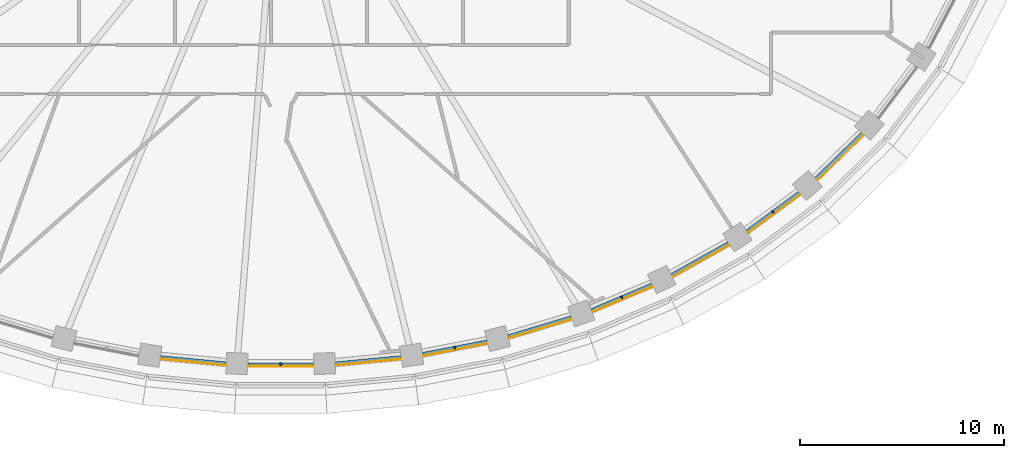
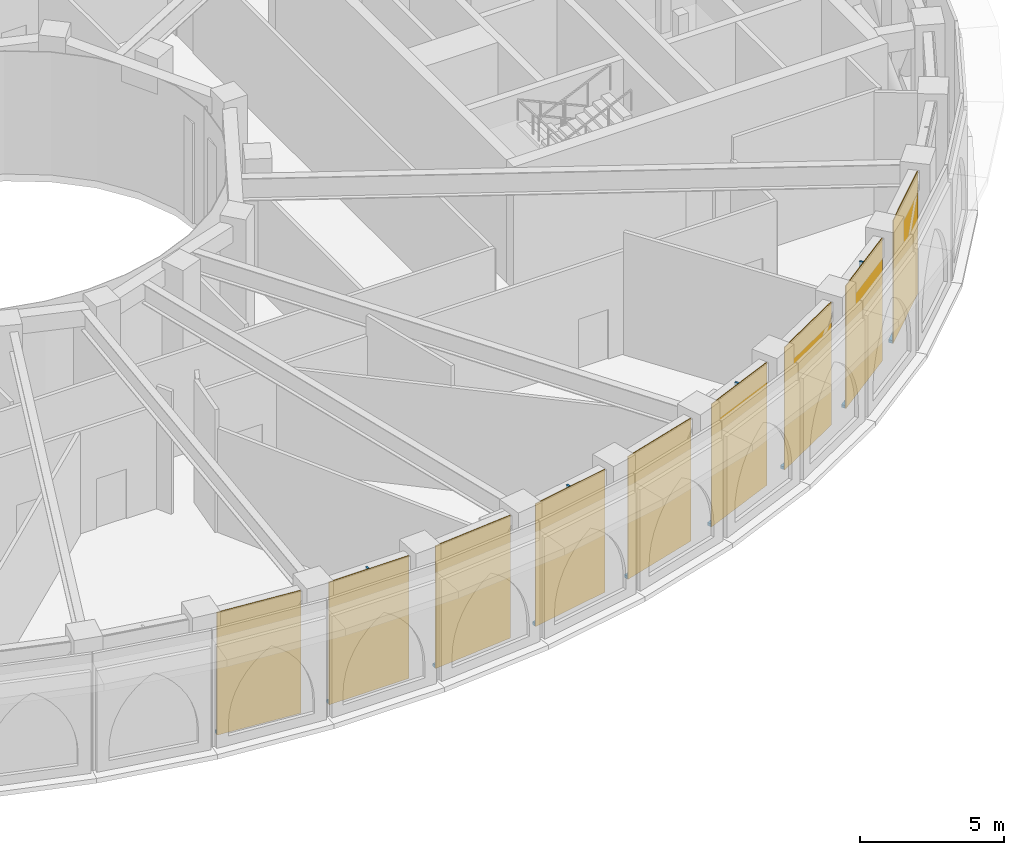
# One storey, part 12 of 23: 13 members, 9 curtain walls.
"""IFC4 building model written with IfcOpenShell, lengths in metres."""

from ifc_helpers import new_model, si_unit, direction, frame, origin, origin_2d, place, context, subcontext, project, spatial, polyline, rectangle, outline, extrude, material, layer, layer_set, material_profile, profile_set, type_object, element, aggregate, save


model = new_model("IFC4")

# Units and contexts
model_context = context("Model", 3, precision=1e-05, world=origin(), true_north=direction((0.0, 1.0)))
body_context = subcontext(model_context, "Body", "Model", "MODEL_VIEW")
ifc_project = project(units=[si_unit("LENGTHUNIT", "METRE"), si_unit("AREAUNIT", "SQUARE_METRE"), si_unit("VOLUMEUNIT", "CUBIC_METRE"), si_unit("PLANEANGLEUNIT", "RADIAN"), si_unit("MASSUNIT", "GRAM", prefix="KILO")], contexts=[model_context])

# Member
ifc_material_1 = material(Name="Aluminium 6063-T6 black anodised", Category="aluminium")
ifc_material_profile = material_profile(ifc_material_1, rectangle(XDim=0.14990234375, YDim=0.080078125, at=origin_2d()), Name="150x80")
ifc_profile_set = profile_set([ifc_material_profile], Name="Aluminium 6063-T6 black anodised")
member_type_1 = type_object("IfcMemberType", Name="ENV-MULLION-B-150", PredefinedType="MULLION", material=ifc_profile_set)
site_placement = place(None, origin())
building_placement = place(site_placement, origin())
storey_placement = place(building_placement, frame((0.0, 0.0, 285.5)))
member_1_placement = place(storey_placement, frame((0.0, -26.94091796875, 0.1201171875), z_axis=(0.0, 0.0, 1.0), x_axis=(0.0, 1.0, 0.0)))
member_1 = element("IfcMember", 1, at=member_1_placement, type_object=member_type_1, Name="Mullion B chord 35", PredefinedType="MULLION", context=body_context, shape_type="SweptSolid", body=[
    extrude(rectangle(XDim=0.14990234375, YDim=0.080078125, at=origin_2d()), origin(), (0.0, 0.0, 1.0), 5.079833984375),
])

member_2_placement = place(storey_placement, frame((8.51953125, -26.12451171875, 0.1201171875), z_axis=(0.0, 0.0, 1.0), x_axis=(-0.190820470077, 0.981624952922, 0.0)))
member_2 = element("IfcMember", 2, at=member_2_placement, type_object=member_type_1, Name="Mullion B chord 37", PredefinedType="MULLION", context=body_context, shape_type="SweptSolid", body=[
    extrude(rectangle(XDim=0.14990234375, YDim=0.080078125, at=origin_2d()), origin(), (0.0, 0.0, 1.0), 5.079833984375),
])

member_3_placement = place(storey_placement, frame((16.69482421875, -23.652587890625, 0.1201171875), z_axis=(0.0, 0.0, 1.0), x_axis=(-0.387638279686, 0.921811566494, 0.0)))
member_3 = element("IfcMember", 3, at=member_3_placement, type_object=member_type_1, Name="Mullion B chord 39", PredefinedType="MULLION", context=body_context, shape_type="SweptSolid", body=[
    extrude(rectangle(XDim=0.14990234375, YDim=0.080078125, at=origin_2d()), origin(), (0.0, 0.0, 1.0), 5.079833984375),
])

member_4_placement = place(storey_placement, frame((24.098388671875, -19.474365234375, 0.1201171875), z_axis=(0.0, 0.0, 1.0), x_axis=(-0.593067090304, 0.805153045326, 0.0)))
member_4 = element("IfcMember", 4, at=member_4_placement, type_object=member_type_1, Name="Mullion B chord 41", PredefinedType="MULLION", context=body_context, shape_type="SweptSolid", body=[
    extrude(rectangle(XDim=0.14990234375, YDim=0.080078125, at=origin_2d()), origin(), (0.0, 0.0, 1.0), 5.079833984375),
])

ifc_material_2 = material(Name="Aluminium 6063-T6 black anodised", Category="aluminium")
member_type_2 = type_object("IfcMemberType", Name="ENV-TRANSOM-B", PredefinedType="USERDEFINED", material=ifc_material_2)
member_5_placement = place(storey_placement, origin())
member_5 = element("IfcMember", 5, at=member_5_placement, type_object=member_type_2, Name="Transom B radial 34-35", ObjectType="TRANSOM", PredefinedType="USERDEFINED", context=body_context, shape_type="SweptSolid", body=[
    extrude(outline(polyline([(-5.87890625, -26.659912109375), (-2.69580078125, -26.9638671875), (-2.6884765625, -26.813720703125), (-5.857421875, -26.511474609375), (-5.87890625, -26.659912109375)])), origin(), (0.0, 0.0, 1.0), 0.1201171875),
])

member_6_placement = place(storey_placement, origin())
member_6 = element("IfcMember", 6, at=member_6_placement, type_object=member_type_2, Name="Transom B radial 35-36", ObjectType="TRANSOM", PredefinedType="USERDEFINED", context=body_context, shape_type="SweptSolid", body=[
    extrude(outline(polyline([(-1.599365234375, -27.01611328125), (1.599365234375, -27.01611328125), (1.59228515625, -26.865966796875), (-1.59228515625, -26.865966796875), (-1.599365234375, -27.01611328125)])), origin(), (0.0, 0.0, 1.0), 0.1201171875),
])

member_7_placement = place(storey_placement, origin())
member_7 = element("IfcMember", 7, at=member_7_placement, type_object=member_type_2, Name="Transom B radial 36-37", ObjectType="TRANSOM", PredefinedType="USERDEFINED", context=body_context, shape_type="SweptSolid", body=[
    extrude(outline(polyline([(2.69580078125, -26.9638671875), (5.87890625, -26.659912109375), (5.857421875, -26.511474609375), (2.688720703125, -26.813720703125), (2.69580078125, -26.9638671875)])), origin(), (0.0, 0.0, 1.0), 0.1201171875),
])

member_8_placement = place(storey_placement, origin())
member_8 = element("IfcMember", 8, at=member_8_placement, type_object=member_type_2, Name="Transom B radial 37-38", ObjectType="TRANSOM", PredefinedType="USERDEFINED", context=body_context, shape_type="SweptSolid", body=[
    extrude(outline(polyline([(6.9658203125, -26.502685546875), (10.10107421875, -25.893310546875), (10.06494140625, -25.74755859375), (6.9443359375, -26.354248046875), (6.9658203125, -26.502685546875)])), origin(), (0.0, 0.0, 1.0), 0.1201171875),
])

member_9_placement = place(storey_placement, origin())
member_9 = element("IfcMember", 9, at=member_9_placement, type_object=member_type_2, Name="Transom B radial 38-39", ObjectType="TRANSOM", PredefinedType="USERDEFINED", context=body_context, shape_type="SweptSolid", body=[
    extrude(outline(polyline([(11.168701171875, -25.629638671875), (14.220947265625, -24.711181640625), (14.170166015625, -24.56982421875), (11.1328125, -25.48388671875), (11.168701171875, -25.629638671875)])), origin(), (0.0, 0.0, 1.0), 0.1201171875),
])

member_10_placement = place(storey_placement, origin())
member_10 = element("IfcMember", 10, at=member_10_placement, type_object=member_type_2, Name="Transom B radial 39-40", ObjectType="TRANSOM", PredefinedType="USERDEFINED", context=body_context, shape_type="SweptSolid", body=[
    extrude(outline(polyline([(15.25830078125, -24.338134765625), (18.1875, -23.106201171875), (18.12158203125, -22.97119140625), (15.20751953125, -24.19677734375), (15.25830078125, -24.338134765625)])), origin(), (0.0, 0.0, 1.0), 0.1201171875),
])

member_11_placement = place(storey_placement, origin())
member_11 = element("IfcMember", 11, at=member_11_placement, type_object=member_type_2, Name="Transom B radial 40-41", ObjectType="TRANSOM", PredefinedType="USERDEFINED", context=body_context, shape_type="SweptSolid", body=[
    extrude(outline(polyline([(19.18115234375, -22.62060546875), (21.94091796875, -21.071533203125), (21.859375, -20.9453125), (19.115234375, -22.485595703125), (19.18115234375, -22.62060546875)])), origin(), (0.0, 0.0, 1.0), 0.1201171875),
])

member_12_placement = place(storey_placement, origin())
member_12 = element("IfcMember", 12, at=member_12_placement, type_object=member_type_2, Name="Transom B radial 41-42", ObjectType="TRANSOM", PredefinedType="USERDEFINED", context=body_context, shape_type="SweptSolid", body=[
    extrude(outline(polyline([(22.874267578125, -20.46923828125), (25.40869140625, -18.602294921875), (25.3115234375, -18.48779296875), (22.792724609375, -20.343017578125), (22.874267578125, -20.46923828125)])), origin(), (0.0, 0.0, 1.0), 0.1201171875),
])

member_13_placement = place(storey_placement, origin())
member_13 = element("IfcMember", 13, at=member_13_placement, type_object=member_type_2, Name="Transom B radial 42-43", ObjectType="TRANSOM", PredefinedType="USERDEFINED", context=body_context, shape_type="SweptSolid", body=[
    extrude(outline(polyline([(26.260498046875, -17.880615234375), (28.50341796875, -15.701416015625), (28.390869140625, -15.601806640625), (26.163330078125, -17.765869140625), (26.260498046875, -17.880615234375)])), origin(), (0.0, 0.0, 1.0), 0.1201171875),
])

# Site, building, storey
site = spatial("IfcSite", under=ifc_project, at=site_placement, CompositionType="ELEMENT")
building = spatial("IfcBuilding", under=site, at=building_placement, Name="Noorbagh Ring Tower", CompositionType="ELEMENT")
storey = spatial("IfcBuildingStorey", under=building, at=storey_placement, Name="L61", CompositionType="ELEMENT", Elevation=285.5)

# Curtain wall
ifc_material_3 = material(Name="Glass dark tinted laminated", Category="glass")
ifc_layer = layer(ifc_material_3, 0.031982421875)
ifc_layer_set = layer_set([ifc_layer], Name="Glass dark tinted laminated")
curtain_wall_type = type_object("IfcCurtainWallType", Name="ENV-CW-B", PredefinedType="NOTDEFINED", material=ifc_layer_set)
curtain_wall_1_placement = place(storey_placement, origin())
curtain_wall_1 = element("IfcCurtainWall", 14, at=curtain_wall_1_placement, inside=storey, type_object=curtain_wall_type, Name="Curtain wall B R34", PredefinedType="NOTDEFINED", context=body_context, shape_type="SweptSolid", body=[
    extrude(outline(polyline([(-5.88330078125, -26.691650390625), (-2.697265625, -26.995849609375), (-2.69580078125, -26.9638671875), (-5.87890625, -26.659912109375), (-5.88330078125, -26.691650390625)])), origin(), (0.0, 0.0, 1.0), 5.199951171875),
])

aggregate(curtain_wall_1, [member_5])

curtain_wall_2_placement = place(storey_placement, origin())
curtain_wall_2 = element("IfcCurtainWall", 15, at=curtain_wall_2_placement, inside=storey, type_object=curtain_wall_type, Name="Curtain wall B R35", PredefinedType="NOTDEFINED", context=body_context, shape_type="SweptSolid", body=[
    extrude(outline(polyline([(-1.60107421875, -27.048095703125), (1.60107421875, -27.048095703125), (1.599365234375, -27.01611328125), (-1.599365234375, -27.01611328125), (-1.60107421875, -27.048095703125)])), origin(), (0.0, 0.0, 1.0), 5.199951171875),
])

aggregate(curtain_wall_2, [member_1, member_6])

curtain_wall_3_placement = place(storey_placement, origin())
curtain_wall_3 = element("IfcCurtainWall", 16, at=curtain_wall_3_placement, inside=storey, type_object=curtain_wall_type, Name="Curtain wall B R36", PredefinedType="NOTDEFINED", context=body_context, shape_type="SweptSolid", body=[
    extrude(outline(polyline([(2.697265625, -26.995849609375), (5.88330078125, -26.691650390625), (5.87890625, -26.659912109375), (2.69580078125, -26.9638671875), (2.697265625, -26.995849609375)])), origin(), (0.0, 0.0, 1.0), 5.199951171875),
])

aggregate(curtain_wall_3, [member_7])

curtain_wall_4_placement = place(storey_placement, origin())
curtain_wall_4 = element("IfcCurtainWall", 17, at=curtain_wall_4_placement, inside=storey, type_object=curtain_wall_type, Name="Curtain wall B R37", PredefinedType="NOTDEFINED", context=body_context, shape_type="SweptSolid", body=[
    extrude(outline(polyline([(6.970458984375, -26.53466796875), (10.108642578125, -25.924560546875), (10.10107421875, -25.893310546875), (6.9658203125, -26.502685546875), (6.970458984375, -26.53466796875)])), origin(), (0.0, 0.0, 1.0), 5.199951171875),
])

aggregate(curtain_wall_4, [member_2, member_8])

curtain_wall_5_placement = place(storey_placement, origin())
curtain_wall_5 = element("IfcCurtainWall", 18, at=curtain_wall_5_placement, inside=storey, type_object=curtain_wall_type, Name="Curtain wall B R38", PredefinedType="NOTDEFINED", context=body_context, shape_type="SweptSolid", body=[
    extrude(outline(polyline([(11.176513671875, -25.66064453125), (14.231689453125, -24.7412109375), (14.220947265625, -24.711181640625), (11.168701171875, -25.629638671875), (11.176513671875, -25.66064453125)])), origin(), (0.0, 0.0, 1.0), 5.199951171875),
])

aggregate(curtain_wall_5, [member_9])

curtain_wall_6_placement = place(storey_placement, origin())
curtain_wall_6 = element("IfcCurtainWall", 19, at=curtain_wall_6_placement, inside=storey, type_object=curtain_wall_type, Name="Curtain wall B R39", PredefinedType="NOTDEFINED", context=body_context, shape_type="SweptSolid", body=[
    extrude(outline(polyline([(15.269287109375, -24.3681640625), (18.20166015625, -23.135009765625), (18.1875, -23.106201171875), (15.25830078125, -24.338134765625), (15.269287109375, -24.3681640625)])), origin(), (0.0, 0.0, 1.0), 5.199951171875),
])

aggregate(curtain_wall_6, [member_3, member_10])

curtain_wall_7_placement = place(storey_placement, origin())
curtain_wall_7 = element("IfcCurtainWall", 20, at=curtain_wall_7_placement, inside=storey, type_object=curtain_wall_type, Name="Curtain wall B R40", PredefinedType="NOTDEFINED", context=body_context, shape_type="SweptSolid", body=[
    extrude(outline(polyline([(19.1953125, -22.6494140625), (21.958251953125, -21.0986328125), (21.94091796875, -21.071533203125), (19.18115234375, -22.62060546875), (19.1953125, -22.6494140625)])), origin(), (0.0, 0.0, 1.0), 5.199951171875),
])

aggregate(curtain_wall_7, [member_11])

curtain_wall_8_placement = place(storey_placement, origin())
curtain_wall_8 = element("IfcCurtainWall", 21, at=curtain_wall_8_placement, inside=storey, type_object=curtain_wall_type, Name="Curtain wall B R41", PredefinedType="NOTDEFINED", context=body_context, shape_type="SweptSolid", body=[
    extrude(outline(polyline([(22.8916015625, -20.49609375), (25.429443359375, -18.626953125), (25.40869140625, -18.602294921875), (22.874267578125, -20.46923828125), (22.8916015625, -20.49609375)])), origin(), (0.0, 0.0, 1.0), 5.199951171875),
])

aggregate(curtain_wall_8, [member_4, member_12])

curtain_wall_9_placement = place(storey_placement, origin())
curtain_wall_9 = element("IfcCurtainWall", 22, at=curtain_wall_9_placement, inside=storey, type_object=curtain_wall_type, Name="Curtain wall B R42", PredefinedType="NOTDEFINED", context=body_context, shape_type="SweptSolid", body=[
    extrude(outline(polyline([(26.28125, -17.905029296875), (28.527587890625, -15.72265625), (28.50341796875, -15.701416015625), (26.260498046875, -17.880615234375), (26.28125, -17.905029296875)])), origin(), (0.0, 0.0, 1.0), 5.199951171875),
])

aggregate(curtain_wall_9, [member_13])

save(model, "model.ifc")
